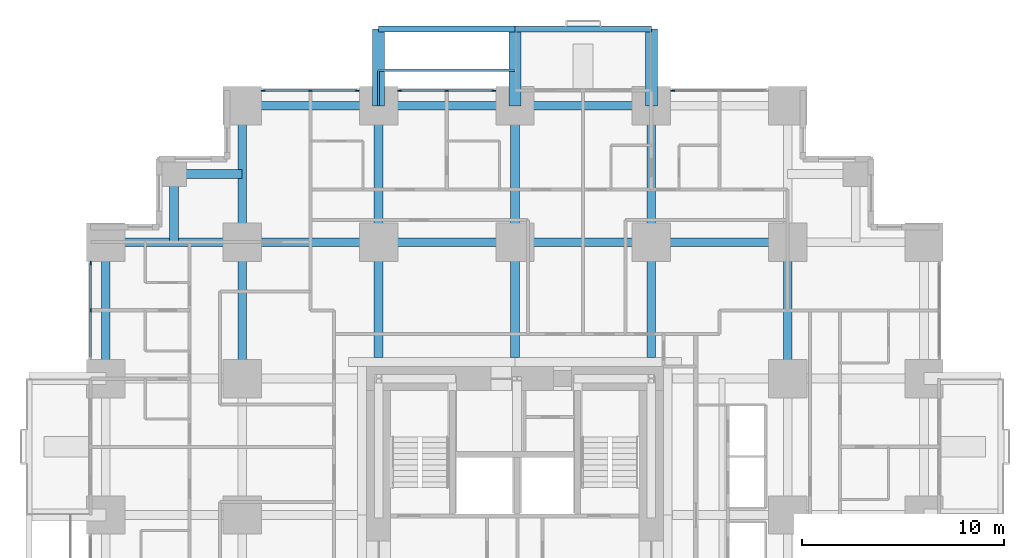
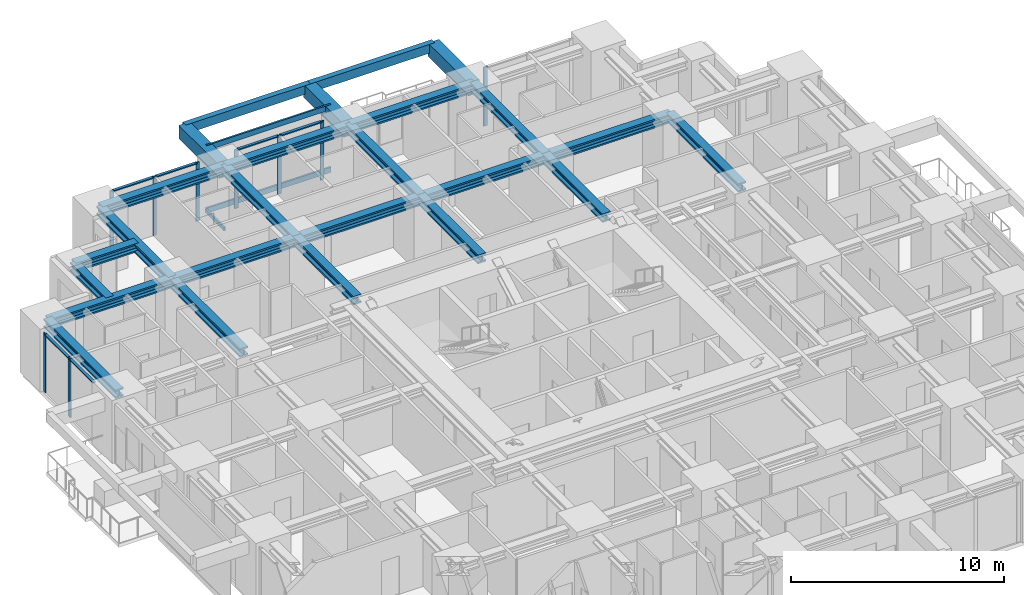
# One storey, part 5 of 14: 25 beams, 18 members, 4 elements without a shape of their own.
"""IFC4 building model written with IfcOpenShell, lengths in metres."""

from ifc_helpers import new_model, si_unit, direction, frame, origin, origin_2d, place, context, subcontext, project, spatial, rectangle, hollow_rectangle, i_section, extrude, material, material_profile, profile_set, type_object, element, aggregate, save


model = new_model("IFC4")

# Units and contexts
model_context = context("Model", 3, precision=1e-05, world=origin(), true_north=direction((0.0, 1.0)))
body_context = subcontext(model_context, "Body", "Model", "MODEL_VIEW")
ifc_project = project(units=[si_unit("LENGTHUNIT", "METRE"), si_unit("AREAUNIT", "SQUARE_METRE"), si_unit("VOLUMEUNIT", "CUBIC_METRE"), si_unit("PLANEANGLEUNIT", "RADIAN"), si_unit("MASSUNIT", "GRAM", prefix="KILO")], contexts=[model_context])

# Site, building, storey
site_placement = place(None, origin())
site = spatial("IfcSite", under=ifc_project, at=site_placement, CompositionType="ELEMENT")
building_placement = place(site_placement, origin())
building = spatial("IfcBuilding", under=site, at=building_placement, Name="Nyansa Garden Tower", CompositionType="ELEMENT")
storey_placement = place(building_placement, frame((0.0, 0.0, 43.199951171875)))
storey = spatial("IfcBuildingStorey", under=building, at=storey_placement, Name="L11", CompositionType="ELEMENT", Elevation=43.199951171875)

# Beams
ifc_material_1 = material(Name="Concrete C70/85", Category="concrete")
ifc_material_profile_1 = material_profile(ifc_material_1, rectangle(XDim=0.60009765625, YDim=0.75, at=origin_2d()), Name="RC 600x750")
ifc_profile_set_1 = profile_set([ifc_material_profile_1], Name="Concrete C70/85")
beam_type_1 = type_object("IfcBeamType", Name="Balcony cantilever beam CB1 RC 600x750", PredefinedType="BEAM", material=ifc_profile_set_1)
for number, where, z_axis, x_axis, name in (
    (1, (13.5, 40.5, 2.985107421875), (0.0, 1.0, 0.0), (-1.0, 0.0, 0.0), "Balcony cantilever beam L12"),
    (2, (20.25, 40.5, 2.985107421875), (0.0, 1.0, 0.0), (-1.0, 0.0, 0.0), "Balcony cantilever beam L12"),
    (3, (27.0, 40.5, 2.985107421875), (0.0, 1.0, 0.0), (-1.0, 0.0, 0.0), "Balcony cantilever beam L12"),
):
    element("IfcBeam", number, at=place(storey_placement, frame(where, z_axis=z_axis, x_axis=x_axis)), inside=storey, type_object=beam_type_1, Name=name, PredefinedType="BEAM", context=body_context, shape_type="SweptSolid", body=[
        extrude(rectangle(XDim=0.60009765625, YDim=0.75, at=origin_2d()), origin(), (0.0, 0.0, 1.0), 3.800048828125),
    ])
ifc_material_2 = material(Name="Concrete C70/85", Category="concrete")
ifc_material_profile_2 = material_profile(ifc_material_2, rectangle(XDim=0.300048828125, YDim=0.5, at=origin_2d()), Name="RC 300x500")
ifc_profile_set_2 = profile_set([ifc_material_profile_2], Name="Concrete C70/85")
beam_type_2 = type_object("IfcBeamType", Name="Balcony edge beam BE1 RC 300x500", PredefinedType="BEAM", material=ifc_profile_set_2)
for number, where, z_axis, x_axis, name in (
    (4, (13.5, 44.300048828125, 3.110107421875), (1.0, 0.0, 0.0), (0.0, 1.0, 0.0), "Balcony edge beam L12"),
    (5, (20.25, 44.300048828125, 3.110107421875), (1.0, 0.0, 0.0), (0.0, 1.0, 0.0), "Balcony edge beam L12"),
):
    element("IfcBeam", number, at=place(storey_placement, frame(where, z_axis=z_axis, x_axis=x_axis)), inside=storey, type_object=beam_type_2, Name=name, PredefinedType="BEAM", context=body_context, shape_type="SweptSolid", body=[
        extrude(rectangle(XDim=0.300048828125, YDim=0.5, at=origin_2d()), origin(), (0.0, 0.0, 1.0), 6.75),
    ])

# Curtain wall, members
ifc_material_3 = material(Name="Black anodised aluminium, dark tinted double glazing", Category="aluminium")
curtain_wall_type = type_object("IfcCurtainWallType", Name="Inner skin curtain wall ISW-A", PredefinedType="USERDEFINED", material=ifc_material_3)
curtain_wall_1_placement = place(storey_placement, origin())
curtain_wall_1 = element("IfcCurtainWall", 6, at=curtain_wall_1_placement, inside=storey, type_object=curtain_wall_type, Name="Inner skin curtain wall L11 N", ObjectType="UNITISED CURTAIN WALL", PredefinedType="USERDEFINED")
ifc_material_4 = material(Name="Black anodised aluminium", Category="aluminium")
ifc_material_profile_3 = material_profile(ifc_material_4, rectangle(XDim=0.06494140625, YDim=0.199951171875, at=origin_2d()), Name="Mullion 200x65")
ifc_profile_set_3 = profile_set([ifc_material_profile_3], Name="Black anodised aluminium")
member_type_1 = type_object("IfcMemberType", Name="Mullion ISW-A 200x65", PredefinedType="MULLION", material=ifc_profile_set_3)
member_1_placement = place(storey_placement, frame((19.199951171875, 41.25, 0.0), z_axis=(0.0, 0.0, 1.0), x_axis=(0.0, -1.0, 0.0)))
member_1 = element("IfcMember", 7, at=member_1_placement, type_object=member_type_1, Name="ISW-A mullion 1", PredefinedType="MULLION", context=body_context, shape_type="SweptSolid", body=[
    extrude(rectangle(XDim=0.06494140625, YDim=0.199951171875, at=origin_2d()), origin(), (0.0, 0.0, 1.0), 3.375),
])
member_2_placement = place(storey_placement, frame((16.875, 41.25, 0.0), z_axis=(0.0, 0.0, 1.0), x_axis=(0.0, -1.0, 0.0)))
member_2 = element("IfcMember", 8, at=member_2_placement, type_object=member_type_1, Name="ISW-A mullion 2", PredefinedType="MULLION", context=body_context, shape_type="SweptSolid", body=[
    extrude(rectangle(XDim=0.06494140625, YDim=0.199951171875, at=origin_2d()), origin(), (0.0, 0.0, 1.0), 3.375),
])
member_3_placement = place(storey_placement, frame((14.550048828125, 41.25, 0.0), z_axis=(0.0, 0.0, 1.0), x_axis=(0.0, -1.0, 0.0)))
member_3 = element("IfcMember", 9, at=member_3_placement, type_object=member_type_1, Name="ISW-A mullion 3", PredefinedType="MULLION", context=body_context, shape_type="SweptSolid", body=[
    extrude(rectangle(XDim=0.06494140625, YDim=0.199951171875, at=origin_2d()), origin(), (0.0, 0.0, 1.0), 3.375),
])

curtain_wall_2_placement = place(storey_placement, origin())
curtain_wall_2 = element("IfcCurtainWall", 10, at=curtain_wall_2_placement, inside=storey, type_object=curtain_wall_type, Name="Inner skin curtain wall L11 N", ObjectType="UNITISED CURTAIN WALL", PredefinedType="USERDEFINED")
member_4_placement = place(storey_placement, frame((12.449951171875, 41.25, 0.0), z_axis=(0.0, 0.0, 1.0), x_axis=(0.0, -1.0, 0.0)))
member_4 = element("IfcMember", 11, at=member_4_placement, type_object=member_type_1, Name="ISW-A mullion 1", PredefinedType="MULLION", context=body_context, shape_type="SweptSolid", body=[
    extrude(rectangle(XDim=0.06494140625, YDim=0.199951171875, at=origin_2d()), origin(), (0.0, 0.0, 1.0), 3.375),
])
member_5_placement = place(storey_placement, frame((10.125, 41.25, 0.0), z_axis=(0.0, 0.0, 1.0), x_axis=(0.0, -1.0, 0.0)))
member_5 = element("IfcMember", 12, at=member_5_placement, type_object=member_type_1, Name="ISW-A mullion 2", PredefinedType="MULLION", context=body_context, shape_type="SweptSolid", body=[
    extrude(rectangle(XDim=0.06494140625, YDim=0.199951171875, at=origin_2d()), origin(), (0.0, 0.0, 1.0), 3.375),
])
member_6_placement = place(storey_placement, frame((7.800048828125, 41.25, 0.0), z_axis=(0.0, 0.0, 1.0), x_axis=(0.0, -1.0, 0.0)))
member_6 = element("IfcMember", 13, at=member_6_placement, type_object=member_type_1, Name="ISW-A mullion 3", PredefinedType="MULLION", context=body_context, shape_type="SweptSolid", body=[
    extrude(rectangle(XDim=0.06494140625, YDim=0.199951171875, at=origin_2d()), origin(), (0.0, 0.0, 1.0), 3.375),
])

# Curtain wall, member
curtain_wall_3_placement = place(storey_placement, origin())
curtain_wall_3 = element("IfcCurtainWall", 14, at=curtain_wall_3_placement, inside=storey, type_object=curtain_wall_type, Name="Inner skin curtain wall L11 N", ObjectType="UNITISED CURTAIN WALL", PredefinedType="USERDEFINED")
member_7_placement = place(storey_placement, frame((28.050048828125, 41.25, 0.0), z_axis=(0.0, 0.0, 1.0), x_axis=(0.0, -1.0, 0.0)))
member_7 = element("IfcMember", 15, at=member_7_placement, type_object=member_type_1, Name="ISW-A mullion 3", PredefinedType="MULLION", context=body_context, shape_type="SweptSolid", body=[
    extrude(rectangle(XDim=0.06494140625, YDim=0.199951171875, at=origin_2d()), origin(), (0.0, 0.0, 1.0), 3.375),
])
aggregate(curtain_wall_3, [member_7])

# Curtain wall, members
curtain_wall_4_placement = place(storey_placement, origin())
curtain_wall_4 = element("IfcCurtainWall", 16, at=curtain_wall_4_placement, inside=storey, type_object=curtain_wall_type, Name="Inner skin curtain wall L11 W", ObjectType="UNITISED CURTAIN WALL", PredefinedType="USERDEFINED")
member_8_placement = place(storey_placement, frame((-0.75, 32.699951171875, 0.0), z_axis=(0.0, 0.0, 1.0), x_axis=(1.0, 0.0, 0.0)))
member_8 = element("IfcMember", 17, at=member_8_placement, type_object=member_type_1, Name="ISW-A mullion 1", PredefinedType="MULLION", context=body_context, shape_type="SweptSolid", body=[
    extrude(rectangle(XDim=0.06494140625, YDim=0.199951171875, at=origin_2d()), origin(), (0.0, 0.0, 1.0), 3.375),
])
member_9_placement = place(storey_placement, frame((-0.75, 30.375, 0.0), z_axis=(0.0, 0.0, 1.0), x_axis=(1.0, 0.0, 0.0)))
member_9 = element("IfcMember", 18, at=member_9_placement, type_object=member_type_1, Name="ISW-A mullion 2", PredefinedType="MULLION", context=body_context, shape_type="SweptSolid", body=[
    extrude(rectangle(XDim=0.06494140625, YDim=0.199951171875, at=origin_2d()), origin(), (0.0, 0.0, 1.0), 3.375),
])

# Members
ifc_material_5 = material(Name="Steel S355, black powder coated", Category="steel")
ifc_material_profile_4 = material_profile(ifc_material_5, hollow_rectangle(XDim=0.10009765625, YDim=0.199951171875, WallThickness=0.008056640625, at=origin_2d()), Name="RHS 200x100x8")
ifc_profile_set_4 = profile_set([ifc_material_profile_4], Name="Steel S355, black powder coated")
member_type_2 = type_object("IfcMemberType", Name="Outer skin bracket arm RHS 200x100x8", PredefinedType="USERDEFINED", material=ifc_profile_set_4)
member_10_placement = place(storey_placement, frame((13.5, 40.5, -0.375), z_axis=(0.0, 1.0, 0.0), x_axis=(-1.0, 0.0, 0.0)))
element("IfcMember", 19, at=member_10_placement, inside=storey, type_object=member_type_2, Name="Outer skin bracket arm", ObjectType="OUTER SKIN BRACKET", PredefinedType="USERDEFINED", context=body_context, shape_type="SweptSolid", body=[
    extrude(hollow_rectangle(XDim=0.10009765625, YDim=0.199951171875, WallThickness=0.008056640625, at=origin_2d()), origin(), (0.0, 0.0, 1.0), 1.75),
])
ifc_material_6 = material(Name="Steel S355, black powder coated", Category="steel")
ifc_material_profile_5 = material_profile(ifc_material_6, hollow_rectangle(XDim=0.10009765625, YDim=0.300048828125, WallThickness=0.010009765625, at=origin_2d()), Name="RHS 300x100x10")
ifc_profile_set_5 = profile_set([ifc_material_profile_5], Name="Steel S355, black powder coated")
member_type_3 = type_object("IfcMemberType", Name="Outer skin rail RHS 300x100x10", PredefinedType="USERDEFINED", material=ifc_profile_set_5)
for number, where, z_axis, x_axis, name in (
    (20, (13.5, 42.25, -0.375), (1.0, 0.0, 0.0), (0.0, 1.0, 0.0), "Outer skin rail L11"),
    (21, (13.5, 42.25, 3.22509765625), (1.0, 0.0, 0.0), (0.0, 1.0, 0.0), "Outer skin rail L11 head"),
):
    element("IfcMember", number, at=place(storey_placement, frame(where, z_axis=z_axis, x_axis=x_axis)), inside=storey, type_object=member_type_3, Name=name, ObjectType="OUTER SKIN RAIL", PredefinedType="USERDEFINED", context=body_context, shape_type="SweptSolid", body=[
        extrude(hollow_rectangle(XDim=0.10009765625, YDim=0.300048828125, WallThickness=0.010009765625, at=origin_2d()), origin(), (0.0, 0.0, 1.0), 6.75),
    ])

# Beams
ifc_material_7 = material(Name="Steel S355", Category="steel")
ifc_material_profile_6 = material_profile(ifc_material_7, i_section(OverallWidth=0.431884765625, OverallDepth=0.498046875, WebThickness=0.0556640625, FlangeThickness=0.0888671875, FilletRadius=0.014892578125, at=origin_2d()), Name="HD 400x744")
ifc_profile_set_6 = profile_set([ifc_material_profile_6], Name="Steel S355")
beam_type_3 = type_object("IfcBeamType", Name="Steel beam SBA1-744 HD 400x744", PredefinedType="BEAM", material=ifc_profile_set_6)
for number, where, z_axis, x_axis, name in (
    (22, (0.0, 33.75, 3.1259765625), (1.0, 0.0, 0.0), (0.0, 1.0, 0.0), "Steel beam 2/J-3/J L12"),
    (23, (6.75, 27.0, 3.1259765625), (0.0, 1.0, 0.0), (-1.0, 0.0, 0.0), "Steel beam 3/H-3/J L12"),
    (24, (6.75, 33.75, 3.1259765625), (0.0, 1.0, 0.0), (-1.0, 0.0, 0.0), "Steel beam 3/J-3/K L12"),
    (25, (6.75, 33.75, 3.1259765625), (1.0, 0.0, 0.0), (0.0, 1.0, 0.0), "Steel beam 3/J-4/J L12"),
):
    element("IfcBeam", number, at=place(storey_placement, frame(where, z_axis=z_axis, x_axis=x_axis)), inside=storey, type_object=beam_type_3, Name=name, PredefinedType="BEAM", context=body_context, shape_type="SweptSolid", body=[
        extrude(i_section(OverallWidth=0.431884765625, OverallDepth=0.498046875, WebThickness=0.0556640625, FlangeThickness=0.0888671875, FilletRadius=0.014892578125, at=origin_2d()), origin(), (0.0, 0.0, 1.0), 6.75),
    ])
beam_1_placement = place(storey_placement, frame((13.5, 28.050048828125, 3.1259765625), z_axis=(0.0, 1.0, 0.0), x_axis=(-1.0, 0.0, 0.0)))
element("IfcBeam", 26, at=beam_1_placement, inside=storey, type_object=beam_type_3, Name="Steel beam 4/28.050-4/J L12", PredefinedType="BEAM", context=body_context, shape_type="SweptSolid", body=[
    extrude(i_section(OverallWidth=0.431884765625, OverallDepth=0.498046875, WebThickness=0.0556640625, FlangeThickness=0.0888671875, FilletRadius=0.014892578125, at=origin_2d()), origin(), (0.0, 0.0, 1.0), 5.699951171875),
])
for number, where, z_axis, x_axis, name in (
    (27, (13.5, 33.75, 3.1259765625), (0.0, 1.0, 0.0), (-1.0, 0.0, 0.0), "Steel beam 4/J-4/K L12"),
    (28, (13.5, 33.75, 3.1259765625), (1.0, 0.0, 0.0), (0.0, 1.0, 0.0), "Steel beam 4/J-5/J L12"),
):
    element("IfcBeam", number, at=place(storey_placement, frame(where, z_axis=z_axis, x_axis=x_axis)), inside=storey, type_object=beam_type_3, Name=name, PredefinedType="BEAM", context=body_context, shape_type="SweptSolid", body=[
        extrude(i_section(OverallWidth=0.431884765625, OverallDepth=0.498046875, WebThickness=0.0556640625, FlangeThickness=0.0888671875, FilletRadius=0.014892578125, at=origin_2d()), origin(), (0.0, 0.0, 1.0), 6.75),
    ])
beam_2_placement = place(storey_placement, frame((20.25, 28.050048828125, 3.1259765625), z_axis=(0.0, 1.0, 0.0), x_axis=(-1.0, 0.0, 0.0)))
element("IfcBeam", 29, at=beam_2_placement, inside=storey, type_object=beam_type_3, Name="Steel beam 5/28.050-5/J L12", PredefinedType="BEAM", context=body_context, shape_type="SweptSolid", body=[
    extrude(i_section(OverallWidth=0.431884765625, OverallDepth=0.498046875, WebThickness=0.0556640625, FlangeThickness=0.0888671875, FilletRadius=0.014892578125, at=origin_2d()), origin(), (0.0, 0.0, 1.0), 5.699951171875),
])
for number, where, z_axis, x_axis, name in (
    (30, (20.25, 33.75, 3.1259765625), (0.0, 1.0, 0.0), (-1.0, 0.0, 0.0), "Steel beam 5/J-5/K L12"),
    (31, (20.25, 33.75, 3.1259765625), (1.0, 0.0, 0.0), (0.0, 1.0, 0.0), "Steel beam 5/J-6/J L12"),
):
    element("IfcBeam", number, at=place(storey_placement, frame(where, z_axis=z_axis, x_axis=x_axis)), inside=storey, type_object=beam_type_3, Name=name, PredefinedType="BEAM", context=body_context, shape_type="SweptSolid", body=[
        extrude(i_section(OverallWidth=0.431884765625, OverallDepth=0.498046875, WebThickness=0.0556640625, FlangeThickness=0.0888671875, FilletRadius=0.014892578125, at=origin_2d()), origin(), (0.0, 0.0, 1.0), 6.75),
    ])
beam_3_placement = place(storey_placement, frame((27.0, 28.050048828125, 3.1259765625), z_axis=(0.0, 1.0, 0.0), x_axis=(-1.0, 0.0, 0.0)))
element("IfcBeam", 32, at=beam_3_placement, inside=storey, type_object=beam_type_3, Name="Steel beam 6/28.050-6/J L12", PredefinedType="BEAM", context=body_context, shape_type="SweptSolid", body=[
    extrude(i_section(OverallWidth=0.431884765625, OverallDepth=0.498046875, WebThickness=0.0556640625, FlangeThickness=0.0888671875, FilletRadius=0.014892578125, at=origin_2d()), origin(), (0.0, 0.0, 1.0), 5.699951171875),
])
for number, where, z_axis, x_axis, name in (
    (33, (27.0, 33.75, 3.1259765625), (0.0, 1.0, 0.0), (-1.0, 0.0, 0.0), "Steel beam 6/J-6/K L12"),
    (34, (27.0, 33.75, 3.1259765625), (1.0, 0.0, 0.0), (0.0, 1.0, 0.0), "Steel beam 6/J-7/J L12"),
    (35, (33.75, 27.0, 3.1259765625), (0.0, 1.0, 0.0), (-1.0, 0.0, 0.0), "Steel beam 7/H-7/J L12"),
):
    element("IfcBeam", number, at=place(storey_placement, frame(where, z_axis=z_axis, x_axis=x_axis)), inside=storey, type_object=beam_type_3, Name=name, PredefinedType="BEAM", context=body_context, shape_type="SweptSolid", body=[
        extrude(i_section(OverallWidth=0.431884765625, OverallDepth=0.498046875, WebThickness=0.0556640625, FlangeThickness=0.0888671875, FilletRadius=0.014892578125, at=origin_2d()), origin(), (0.0, 0.0, 1.0), 6.75),
    ])
ifc_material_8 = material(Name="Steel S355", Category="steel")
ifc_material_profile_7 = material_profile(ifc_material_8, i_section(OverallWidth=0.431884765625, OverallDepth=0.498046875, WebThickness=0.0556640625, FlangeThickness=0.0888671875, FilletRadius=0.014892578125, at=origin_2d()), Name="HD 400x744")
ifc_profile_set_7 = profile_set([ifc_material_profile_7], Name="Steel S355")
beam_type_4 = type_object("IfcBeamType", Name="Steel beam SEBA-744 HD 400x744", PredefinedType="BEAM", material=ifc_profile_set_7)
for number, where, z_axis, x_axis, name in (
    (36, (0.0, 27.0, 3.1259765625), (0.0, 1.0, 0.0), (-1.0, 0.0, 0.0), "Steel edge beam 2/H-2/J L12"),
    (37, (6.75, 40.5, 3.1259765625), (1.0, 0.0, 0.0), (0.0, 1.0, 0.0), "Steel edge beam 3/K-4/K L12"),
    (38, (13.5, 40.5, 3.1259765625), (1.0, 0.0, 0.0), (0.0, 1.0, 0.0), "Steel edge beam 4/K-5/K L12"),
    (39, (20.25, 40.5, 3.1259765625), (1.0, 0.0, 0.0), (0.0, 1.0, 0.0), "Steel edge beam 5/K-6/K L12"),
):
    element("IfcBeam", number, at=place(storey_placement, frame(where, z_axis=z_axis, x_axis=x_axis)), inside=storey, type_object=beam_type_4, Name=name, PredefinedType="BEAM", context=body_context, shape_type="SweptSolid", body=[
        extrude(i_section(OverallWidth=0.431884765625, OverallDepth=0.498046875, WebThickness=0.0556640625, FlangeThickness=0.0888671875, FilletRadius=0.014892578125, at=origin_2d()), origin(), (0.0, 0.0, 1.0), 6.75),
    ])
ifc_material_9 = material(Name="Steel S355", Category="steel")
ifc_material_profile_8 = material_profile(ifc_material_9, i_section(OverallWidth=0.431884765625, OverallDepth=0.498046875, WebThickness=0.0556640625, FlangeThickness=0.0888671875, FilletRadius=0.014892578125, at=origin_2d()), Name="HD 400x744")
ifc_profile_set_8 = profile_set([ifc_material_profile_8], Name="Steel S355")
beam_type_5 = type_object("IfcBeamType", Name="Steel beam SSB1-744 HD 400x744", PredefinedType="BEAM", material=ifc_profile_set_8)
for number, where, z_axis, x_axis, name in (
    (40, (3.375, 37.125, 3.1259765625), (0.0, -1.0, 0.0), (1.0, 0.0, 0.0), "Steel step beam 3.375/37.125 L12"),
    (41, (3.375, 37.125, 3.1259765625), (1.0, 0.0, 0.0), (0.0, 1.0, 0.0), "Steel step beam 3.375/37.125 L12"),
):
    element("IfcBeam", number, at=place(storey_placement, frame(where, z_axis=z_axis, x_axis=x_axis)), inside=storey, type_object=beam_type_5, Name=name, PredefinedType="BEAM", context=body_context, shape_type="SweptSolid", body=[
        extrude(i_section(OverallWidth=0.431884765625, OverallDepth=0.498046875, WebThickness=0.0556640625, FlangeThickness=0.0888671875, FilletRadius=0.014892578125, at=origin_2d()), origin(), (0.0, 0.0, 1.0), 3.375),
    ])

# Member
ifc_material_10 = material(Name="Black anodised aluminium", Category="aluminium")
ifc_material_profile_9 = material_profile(ifc_material_10, rectangle(XDim=0.14990234375, YDim=0.06494140625, at=origin_2d()), Name="Transom 150x65")
ifc_profile_set_9 = profile_set([ifc_material_profile_9], Name="Black anodised aluminium")
member_type_4 = type_object("IfcMemberType", Name="Transom ISW-A 150x65", PredefinedType="USERDEFINED", material=ifc_profile_set_9)
member_11_placement = place(storey_placement, frame((19.16748046875, 41.25, 3.342529296875), z_axis=(-1.0, 0.0, 0.0), x_axis=(0.0, -1.0, 0.0)))
member_11 = element("IfcMember", 42, at=member_11_placement, type_object=member_type_4, Name="ISW-A transom 1", ObjectType="TRANSOM", PredefinedType="USERDEFINED", context=body_context, shape_type="SweptSolid", body=[
    extrude(rectangle(XDim=0.14990234375, YDim=0.06494140625, at=origin_2d()), origin(), (0.0, 0.0, 1.0), 2.260009765625),
])

member_12_placement = place(storey_placement, frame((16.842529296875, 41.25, 3.342529296875), z_axis=(-1.0, 0.0, 0.0), x_axis=(0.0, -1.0, 0.0)))
member_12 = element("IfcMember", 43, at=member_12_placement, type_object=member_type_4, Name="ISW-A transom 2", ObjectType="TRANSOM", PredefinedType="USERDEFINED", context=body_context, shape_type="SweptSolid", body=[
    extrude(rectangle(XDim=0.14990234375, YDim=0.06494140625, at=origin_2d()), origin(), (0.0, 0.0, 1.0), 2.260009765625),
])

aggregate(curtain_wall_1, [member_1, member_2, member_3, member_11, member_12])

member_13_placement = place(storey_placement, frame((12.41748046875, 41.25, 3.342529296875), z_axis=(-1.0, 0.0, 0.0), x_axis=(0.0, -1.0, 0.0)))
member_13 = element("IfcMember", 44, at=member_13_placement, type_object=member_type_4, Name="ISW-A transom 1", ObjectType="TRANSOM", PredefinedType="USERDEFINED", context=body_context, shape_type="SweptSolid", body=[
    extrude(rectangle(XDim=0.14990234375, YDim=0.06494140625, at=origin_2d()), origin(), (0.0, 0.0, 1.0), 2.260009765625),
])

member_14_placement = place(storey_placement, frame((10.092529296875, 41.25, 3.342529296875), z_axis=(-1.0, 0.0, 0.0), x_axis=(0.0, -1.0, 0.0)))
member_14 = element("IfcMember", 45, at=member_14_placement, type_object=member_type_4, Name="ISW-A transom 2", ObjectType="TRANSOM", PredefinedType="USERDEFINED", context=body_context, shape_type="SweptSolid", body=[
    extrude(rectangle(XDim=0.14990234375, YDim=0.06494140625, at=origin_2d()), origin(), (0.0, 0.0, 1.0), 2.260009765625),
])

aggregate(curtain_wall_2, [member_4, member_5, member_6, member_13, member_14])

member_15_placement = place(storey_placement, frame((-0.75, 32.66748046875, 3.342529296875), z_axis=(0.0, -1.0, 0.0), x_axis=(1.0, 0.0, 0.0)))
member_15 = element("IfcMember", 46, at=member_15_placement, type_object=member_type_4, Name="ISW-A transom 1", ObjectType="TRANSOM", PredefinedType="USERDEFINED", context=body_context, shape_type="SweptSolid", body=[
    extrude(rectangle(XDim=0.14990234375, YDim=0.06494140625, at=origin_2d()), origin(), (0.0, 0.0, 1.0), 2.260009765625),
])

member_16_placement = place(storey_placement, frame((-0.75, 30.342529296875, 3.342529296875), z_axis=(0.0, -1.0, 0.0), x_axis=(1.0, 0.0, 0.0)))
member_16 = element("IfcMember", 47, at=member_16_placement, type_object=member_type_4, Name="ISW-A transom 2", ObjectType="TRANSOM", PredefinedType="USERDEFINED", context=body_context, shape_type="SweptSolid", body=[
    extrude(rectangle(XDim=0.14990234375, YDim=0.06494140625, at=origin_2d()), origin(), (0.0, 0.0, 1.0), 2.260009765625),
])

aggregate(curtain_wall_4, [member_8, member_9, member_15, member_16])

save(model, "model.ifc")
